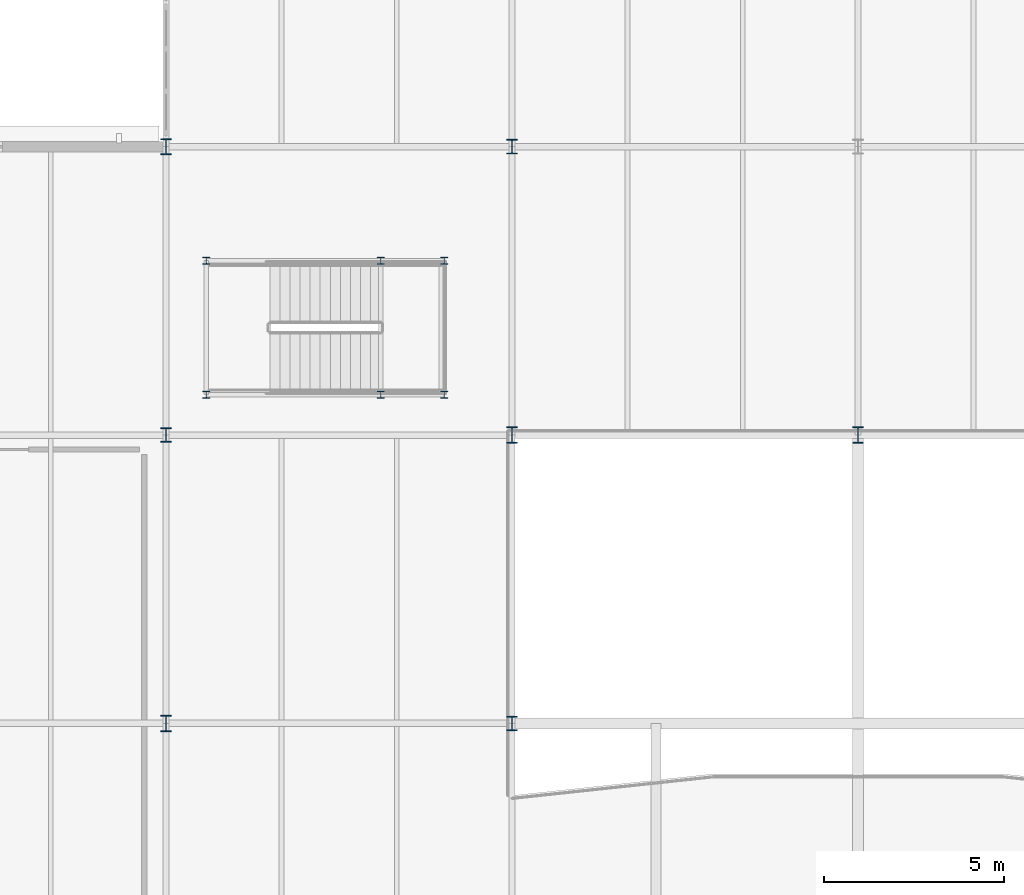
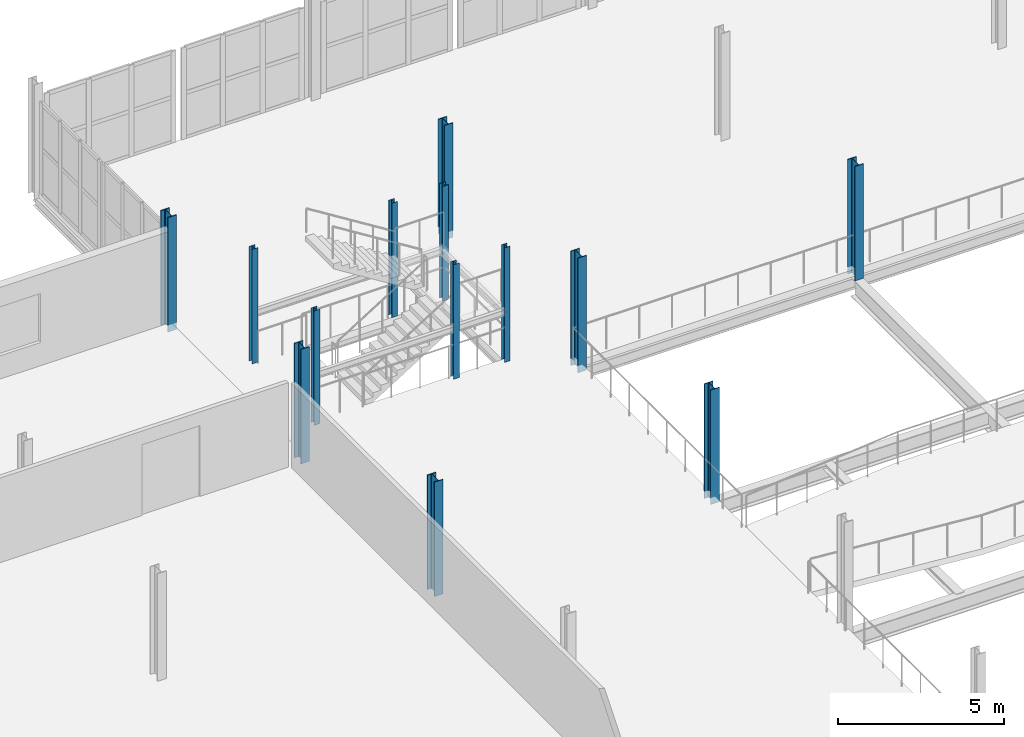
# One storey, part 16 of 85: 13 columns.
"""IFC4 building model written with IfcOpenShell, lengths in metres."""

from ifc_helpers import new_model, si_unit, direction, frame, origin, origin_2d, place, context, subcontext, project, spatial, i_section, extrude, material, material_profile, profile_set, type_object, element, save


model = new_model("IFC4")

# Units and contexts
model_context = context("Model", 3, precision=1e-05, world=origin(), true_north=direction((0.0, 1.0)))
body_context = subcontext(model_context, "Body", "Model", "MODEL_VIEW")
ifc_project = project(units=[si_unit("LENGTHUNIT", "METRE"), si_unit("AREAUNIT", "SQUARE_METRE"), si_unit("VOLUMEUNIT", "CUBIC_METRE"), si_unit("PLANEANGLEUNIT", "RADIAN"), si_unit("MASSUNIT", "GRAM", prefix="KILO")], contexts=[model_context])

# Site, building, storey
site_placement = place(None, origin())
site = spatial("IfcSite", under=ifc_project, at=site_placement, CompositionType="ELEMENT")
building_placement = place(site_placement, origin())
building = spatial("IfcBuilding", under=site, at=building_placement, Name="Alderhovde Museum", CompositionType="ELEMENT")
storey_placement = place(building_placement, frame((0.0, 0.0, 8.699951171875)))
storey = spatial("IfcBuildingStorey", under=building, at=storey_placement, Name="L02", CompositionType="ELEMENT", Elevation=8.699951171875)

# Columns
ifc_material_1 = material(Name="Steel S355J2", Category="steel")
ifc_material_profile_1 = material_profile(ifc_material_1, i_section(OverallWidth=0.199951171875, OverallDepth=0.18994140625, WebThickness=0.006591796875, FlangeThickness=0.010009765625, FilletRadius=0.01806640625, at=origin_2d()), Name="HEA 200")
ifc_profile_set_1 = profile_set([ifc_material_profile_1], Name="Steel S355J2")
column_type_1 = type_object("IfcColumnType", Name="COL-HEA200", PredefinedType="COLUMN", material=ifc_profile_set_1)
for number, where, z_axis, x_axis, name in (
    (1, (77.919921875, 73.1201171875, 0.0), (0.0, 0.0, 1.0), (1.0, 0.0, 0.0), "L02 Stair ST5 Shaft Column 1"),
    (2, (84.52001953125, 73.1201171875, 0.0), (0.0, 0.0, 1.0), (1.0, 0.0, 0.0), "L02 Stair ST5 Shaft Column 2"),
    (3, (84.52001953125, 76.840087890625, 0.0), (0.0, 0.0, 1.0), (1.0, 0.0, 0.0), "L02 Stair ST5 Shaft Column 3"),
    (4, (77.919921875, 76.840087890625, 0.0), (0.0, 0.0, 1.0), (1.0, 0.0, 0.0), "L02 Stair ST5 Shaft Column 4"),
    (5, (82.760009765625, 73.1201171875, 0.0), (0.0, 0.0, 1.0), (1.0, 0.0, 0.0), "L02 Stair ST5 Shaft Column 5"),
    (6, (82.760009765625, 76.840087890625, 0.0), (0.0, 0.0, 1.0), (1.0, 0.0, 0.0), "L02 Stair ST5 Shaft Column 6"),
):
    element("IfcColumn", number, at=place(storey_placement, frame(where, z_axis=z_axis, x_axis=x_axis)), inside=storey, type_object=column_type_1, Name=name, PredefinedType="COLUMN", context=body_context, shape_type="SweptSolid", body=[
        extrude(i_section(OverallWidth=0.199951171875, OverallDepth=0.18994140625, WebThickness=0.006591796875, FlangeThickness=0.010009765625, FilletRadius=0.01806640625, at=origin_2d()), origin(), (0.0, 0.0, 1.0), 4.199951171875),
    ])
ifc_material_2 = material(Name="Steel S355J2", Category="steel")
ifc_material_profile_2 = material_profile(ifc_material_2, i_section(OverallWidth=0.300048828125, OverallDepth=0.39990234375, WebThickness=0.013427734375, FlangeThickness=0.02392578125, FilletRadius=0.027099609375, at=origin_2d()), Name="HEB 400")
ifc_profile_set_2 = profile_set([ifc_material_profile_2], Name="Steel S355J2")
column_type_2 = type_object("IfcColumnType", Name="COL-HEB400", PredefinedType="COLUMN", material=ifc_profile_set_2)
for number, where, z_axis, x_axis, name in (
    (7, (76.800048828125, 72.0, -0.260009765625), (0.0, 0.0, 1.0), (1.0, 0.0, 0.0), "L02 Column (76.8, 72.0)"),
    (8, (86.39990234375, 64.0, -0.260009765625), (0.0, 0.0, 1.0), (1.0, 0.0, 0.0), "L02 Column (86.4, 64.0)"),
    (9, (86.39990234375, 80.0, -0.260009765625), (0.0, 0.0, 1.0), (1.0, 0.0, 0.0), "L02 Column (86.4, 80.0)"),
):
    element("IfcColumn", number, at=place(storey_placement, frame(where, z_axis=z_axis, x_axis=x_axis)), inside=storey, type_object=column_type_2, Name=name, PredefinedType="COLUMN", context=body_context, shape_type="SweptSolid", body=[
        extrude(i_section(OverallWidth=0.300048828125, OverallDepth=0.39990234375, WebThickness=0.013427734375, FlangeThickness=0.02392578125, FilletRadius=0.027099609375, at=origin_2d()), origin(), (0.0, 0.0, 1.0), 4.199951171875),
    ])
ifc_material_3 = material(Name="Steel S355J2", Category="steel")
ifc_material_profile_3 = material_profile(ifc_material_3, i_section(OverallWidth=0.300048828125, OverallDepth=0.449951171875, WebThickness=0.013916015625, FlangeThickness=0.02587890625, FilletRadius=0.027099609375, at=origin_2d()), Name="HEB 450")
ifc_profile_set_3 = profile_set([ifc_material_profile_3], Name="Steel S355J2")
column_type_3 = type_object("IfcColumnType", Name="COL-HEB450", PredefinedType="COLUMN", material=ifc_profile_set_3)
for number, where, z_axis, x_axis, name in (
    (10, (76.800048828125, 64.0, -0.260009765625), (0.0, 0.0, 1.0), (1.0, 0.0, 0.0), "L02 Column (76.8, 64.0)"),
    (11, (76.800048828125, 80.0, -0.260009765625), (0.0, 0.0, 1.0), (1.0, 0.0, 0.0), "L02 Column (76.8, 80.0)"),
    (12, (86.39990234375, 72.0, -0.260009765625), (0.0, 0.0, 1.0), (1.0, 0.0, 0.0), "L02 Column (86.4, 72.0)"),
    (13, (96.0, 72.0, -0.260009765625), (0.0, 0.0, 1.0), (1.0, 0.0, 0.0), "L02 Column (96.0, 72.0)"),
):
    element("IfcColumn", number, at=place(storey_placement, frame(where, z_axis=z_axis, x_axis=x_axis)), inside=storey, type_object=column_type_3, Name=name, PredefinedType="COLUMN", context=body_context, shape_type="SweptSolid", body=[
        extrude(i_section(OverallWidth=0.300048828125, OverallDepth=0.449951171875, WebThickness=0.013916015625, FlangeThickness=0.02587890625, FilletRadius=0.027099609375, at=origin_2d()), origin(), (0.0, 0.0, 1.0), 4.199951171875),
    ])

save(model, "model.ifc")
